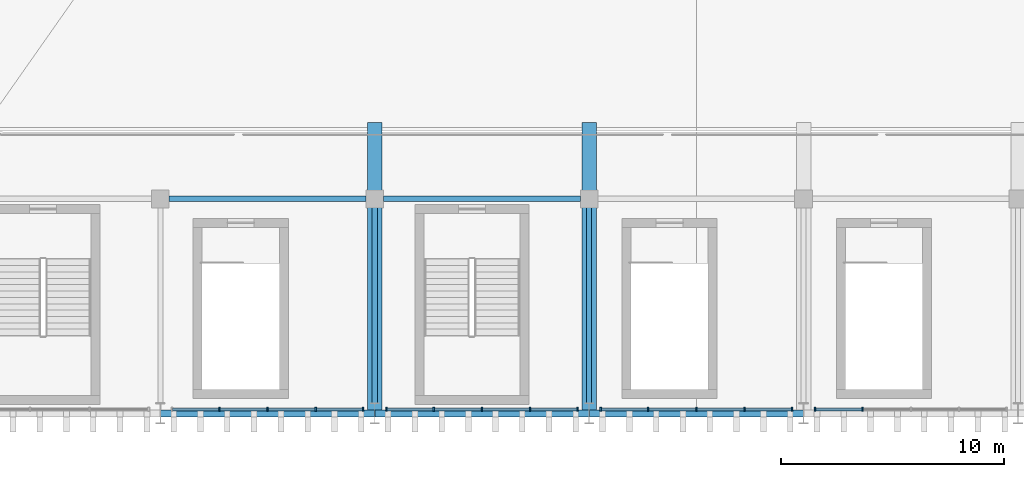
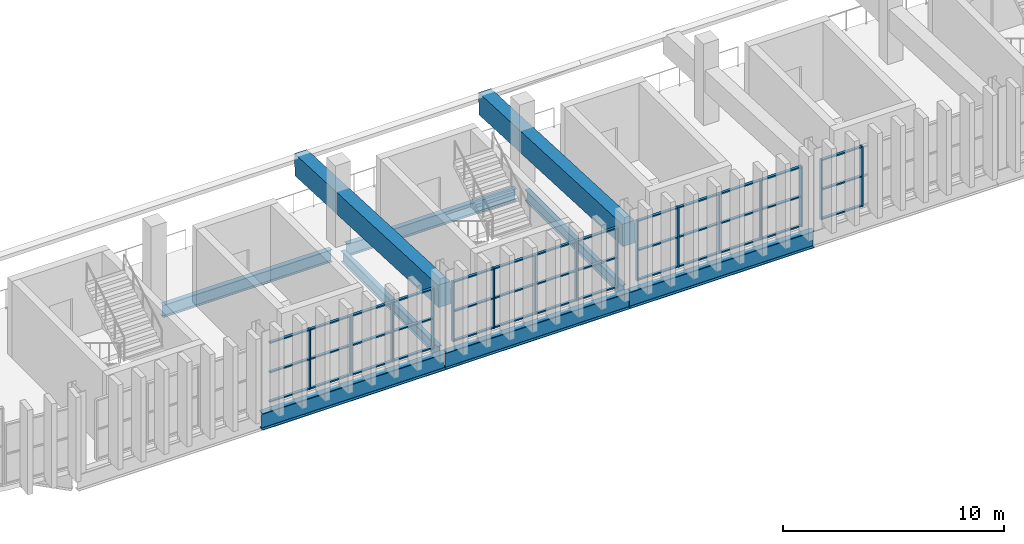
# One storey, part 15 of 69: 55 members, 9 beams, 4 elements without a shape of their own.
"""IFC4 building model written with IfcOpenShell, lengths in metres."""

from ifc_helpers import new_model, si_unit, direction, frame, origin, origin_2d, place, context, subcontext, project, spatial, rectangle, i_section, extrude, material, layer, layer_set, material_profile, profile_set, type_object, element, aggregate, save


model = new_model("IFC4")

# Units and contexts
model_context = context("Model", 3, precision=1e-05, world=origin(), true_north=direction((0.0, 1.0)))
body_context = subcontext(model_context, "Body", "Model", "MODEL_VIEW")
ifc_project = project(units=[si_unit("LENGTHUNIT", "METRE"), si_unit("AREAUNIT", "SQUARE_METRE"), si_unit("VOLUMEUNIT", "CUBIC_METRE"), si_unit("PLANEANGLEUNIT", "RADIAN"), si_unit("MASSUNIT", "GRAM", prefix="KILO")], contexts=[model_context])

# Site, building, storey
site_placement = place(None, origin())
site = spatial("IfcSite", under=ifc_project, at=site_placement, CompositionType="ELEMENT")
building_placement = place(site_placement, origin())
building = spatial("IfcBuilding", under=site, at=building_placement, Name="Caelomonte Colonnade Arena", CompositionType="ELEMENT")
storey_placement = place(building_placement, frame((0.0, 0.0, 18.60009765625)))
storey = spatial("IfcBuildingStorey", under=building, at=storey_placement, Name="L04", CompositionType="ELEMENT", Elevation=18.60009765625)

# Curtain wall, members
ifc_material_1 = material(Name="Bronze anodised aluminium and low-E glazing", Category="aluminium")
ifc_layer = layer(ifc_material_1, 0.179931640625)
ifc_layer_set = layer_set([ifc_layer], Name="Bronze anodised aluminium and low-E glazing")
curtain_wall_type = type_object("IfcCurtainWallType", Name="ENV-CW-CW-L04-96-33", PredefinedType="USERDEFINED", material=ifc_layer_set)
curtain_wall_1_placement = place(storey_placement, origin())
curtain_wall_1 = element("IfcCurtainWall", 1, at=curtain_wall_1_placement, inside=storey, type_object=curtain_wall_type, Name="L04 unitized curtain wall CW-L04-0912-0194", ObjectType="UNITIZED CURTAIN WALL", PredefinedType="USERDEFINED")
ifc_material_2 = material(Name="Bronze anodised aluminium AA6063-T6", Category="aluminium")
ifc_material_profile_1 = material_profile(ifc_material_2, rectangle(XDim=0.070068359375, YDim=0.179931640625, at=origin_2d()), Name="CWM-70X180")
ifc_profile_set_1 = profile_set([ifc_material_profile_1], Name="Bronze anodised aluminium AA6063-T6")
member_type_1 = type_object("IfcMemberType", Name="ENV-CW-MULL1", PredefinedType="MULLION", material=ifc_profile_set_1)
member_1_placement = place(storey_placement, frame((89.041748046875, 19.3798828125, 0.0), z_axis=(0.0, 0.0, 1.0), x_axis=(1.0, 0.0, 0.0)))
member_1 = element("IfcMember", 2, at=member_1_placement, type_object=member_type_1, Name="CW-L04-96-33 mullion 2", PredefinedType="MULLION", context=body_context, shape_type="SweptSolid", body=[
    extrude(rectangle(XDim=0.070068359375, YDim=0.179931640625, at=origin_2d()), origin(), (0.0, 0.0, 1.0), 3.312744140625),
])
member_2_placement = place(storey_placement, frame((91.199951171875, 19.3798828125, 0.0), z_axis=(0.0, 0.0, 1.0), x_axis=(1.0, 0.0, 0.0)))
member_2 = element("IfcMember", 3, at=member_2_placement, type_object=member_type_1, Name="CW-L04-96-33 mullion 3", PredefinedType="MULLION", context=body_context, shape_type="SweptSolid", body=[
    extrude(rectangle(XDim=0.070068359375, YDim=0.179931640625, at=origin_2d()), origin(), (0.0, 0.0, 1.0), 3.312744140625),
])
member_3_placement = place(storey_placement, frame((93.358154296875, 19.3798828125, 0.0), z_axis=(0.0, 0.0, 1.0), x_axis=(1.0, 0.0, 0.0)))
member_3 = element("IfcMember", 4, at=member_3_placement, type_object=member_type_1, Name="CW-L04-96-33 mullion 4", PredefinedType="MULLION", context=body_context, shape_type="SweptSolid", body=[
    extrude(rectangle(XDim=0.070068359375, YDim=0.179931640625, at=origin_2d()), origin(), (0.0, 0.0, 1.0), 3.312744140625),
])
member_4_placement = place(storey_placement, frame((95.4814453125, 19.3798828125, 0.0), z_axis=(0.0, 0.0, 1.0), x_axis=(1.0, 0.0, 0.0)))
member_4 = element("IfcMember", 5, at=member_4_placement, type_object=member_type_1, Name="CW-L04-96-33 mullion 5", PredefinedType="MULLION", context=body_context, shape_type="SweptSolid", body=[
    extrude(rectangle(XDim=0.070068359375, YDim=0.179931640625, at=origin_2d()), origin(), (0.0, 0.0, 1.0), 3.312744140625),
])

curtain_wall_2_placement = place(storey_placement, origin())
curtain_wall_2 = element("IfcCurtainWall", 6, at=curtain_wall_2_placement, inside=storey, type_object=curtain_wall_type, Name="L04 unitized curtain wall CW-L04-1008-0194", ObjectType="UNITIZED CURTAIN WALL", PredefinedType="USERDEFINED")
member_5_placement = place(storey_placement, frame((96.5185546875, 19.3798828125, 0.0), z_axis=(0.0, 0.0, 1.0), x_axis=(1.0, 0.0, 0.0)))
member_5 = element("IfcMember", 7, at=member_5_placement, type_object=member_type_1, Name="CW-L04-96-33 mullion 1", PredefinedType="MULLION", context=body_context, shape_type="SweptSolid", body=[
    extrude(rectangle(XDim=0.070068359375, YDim=0.179931640625, at=origin_2d()), origin(), (0.0, 0.0, 1.0), 3.312744140625),
])
member_6_placement = place(storey_placement, frame((98.641845703125, 19.3798828125, 0.0), z_axis=(0.0, 0.0, 1.0), x_axis=(1.0, 0.0, 0.0)))
member_6 = element("IfcMember", 8, at=member_6_placement, type_object=member_type_1, Name="CW-L04-96-33 mullion 2", PredefinedType="MULLION", context=body_context, shape_type="SweptSolid", body=[
    extrude(rectangle(XDim=0.070068359375, YDim=0.179931640625, at=origin_2d()), origin(), (0.0, 0.0, 1.0), 3.312744140625),
])
member_7_placement = place(storey_placement, frame((100.800048828125, 19.3798828125, 0.0), z_axis=(0.0, 0.0, 1.0), x_axis=(1.0, 0.0, 0.0)))
member_7 = element("IfcMember", 9, at=member_7_placement, type_object=member_type_1, Name="CW-L04-96-33 mullion 3", PredefinedType="MULLION", context=body_context, shape_type="SweptSolid", body=[
    extrude(rectangle(XDim=0.070068359375, YDim=0.179931640625, at=origin_2d()), origin(), (0.0, 0.0, 1.0), 3.312744140625),
])
member_8_placement = place(storey_placement, frame((102.958251953125, 19.3798828125, 0.0), z_axis=(0.0, 0.0, 1.0), x_axis=(1.0, 0.0, 0.0)))
member_8 = element("IfcMember", 10, at=member_8_placement, type_object=member_type_1, Name="CW-L04-96-33 mullion 4", PredefinedType="MULLION", context=body_context, shape_type="SweptSolid", body=[
    extrude(rectangle(XDim=0.070068359375, YDim=0.179931640625, at=origin_2d()), origin(), (0.0, 0.0, 1.0), 3.312744140625),
])
member_9_placement = place(storey_placement, frame((105.08154296875, 19.3798828125, 0.0), z_axis=(0.0, 0.0, 1.0), x_axis=(1.0, 0.0, 0.0)))
member_9 = element("IfcMember", 11, at=member_9_placement, type_object=member_type_1, Name="CW-L04-96-33 mullion 5", PredefinedType="MULLION", context=body_context, shape_type="SweptSolid", body=[
    extrude(rectangle(XDim=0.070068359375, YDim=0.179931640625, at=origin_2d()), origin(), (0.0, 0.0, 1.0), 3.312744140625),
])

curtain_wall_3_placement = place(storey_placement, origin())
curtain_wall_3 = element("IfcCurtainWall", 12, at=curtain_wall_3_placement, inside=storey, type_object=curtain_wall_type, Name="L04 unitized curtain wall CW-L04-1104-0194", ObjectType="UNITIZED CURTAIN WALL", PredefinedType="USERDEFINED")
member_10_placement = place(storey_placement, frame((106.118408203125, 19.3798828125, 0.0), z_axis=(0.0, 0.0, 1.0), x_axis=(1.0, 0.0, 0.0)))
member_10 = element("IfcMember", 13, at=member_10_placement, type_object=member_type_1, Name="CW-L04-96-33 mullion 1", PredefinedType="MULLION", context=body_context, shape_type="SweptSolid", body=[
    extrude(rectangle(XDim=0.070068359375, YDim=0.179931640625, at=origin_2d()), origin(), (0.0, 0.0, 1.0), 3.312744140625),
])
member_11_placement = place(storey_placement, frame((108.24169921875, 19.3798828125, 0.0), z_axis=(0.0, 0.0, 1.0), x_axis=(1.0, 0.0, 0.0)))
member_11 = element("IfcMember", 14, at=member_11_placement, type_object=member_type_1, Name="CW-L04-96-33 mullion 2", PredefinedType="MULLION", context=body_context, shape_type="SweptSolid", body=[
    extrude(rectangle(XDim=0.070068359375, YDim=0.179931640625, at=origin_2d()), origin(), (0.0, 0.0, 1.0), 3.312744140625),
])
member_12_placement = place(storey_placement, frame((110.39990234375, 19.3798828125, 0.0), z_axis=(0.0, 0.0, 1.0), x_axis=(1.0, 0.0, 0.0)))
member_12 = element("IfcMember", 15, at=member_12_placement, type_object=member_type_1, Name="CW-L04-96-33 mullion 3", PredefinedType="MULLION", context=body_context, shape_type="SweptSolid", body=[
    extrude(rectangle(XDim=0.070068359375, YDim=0.179931640625, at=origin_2d()), origin(), (0.0, 0.0, 1.0), 3.312744140625),
])
member_13_placement = place(storey_placement, frame((112.558349609375, 19.3798828125, 0.0), z_axis=(0.0, 0.0, 1.0), x_axis=(1.0, 0.0, 0.0)))
member_13 = element("IfcMember", 16, at=member_13_placement, type_object=member_type_1, Name="CW-L04-96-33 mullion 4", PredefinedType="MULLION", context=body_context, shape_type="SweptSolid", body=[
    extrude(rectangle(XDim=0.070068359375, YDim=0.179931640625, at=origin_2d()), origin(), (0.0, 0.0, 1.0), 3.312744140625),
])
member_14_placement = place(storey_placement, frame((114.681396484375, 19.3798828125, 0.0), z_axis=(0.0, 0.0, 1.0), x_axis=(1.0, 0.0, 0.0)))
member_14 = element("IfcMember", 17, at=member_14_placement, type_object=member_type_1, Name="CW-L04-96-33 mullion 5", PredefinedType="MULLION", context=body_context, shape_type="SweptSolid", body=[
    extrude(rectangle(XDim=0.070068359375, YDim=0.179931640625, at=origin_2d()), origin(), (0.0, 0.0, 1.0), 3.312744140625),
])

curtain_wall_4_placement = place(storey_placement, origin())
curtain_wall_4 = element("IfcCurtainWall", 18, at=curtain_wall_4_placement, inside=storey, type_object=curtain_wall_type, Name="L04 unitized curtain wall CW-L04-1200-0194", ObjectType="UNITIZED CURTAIN WALL", PredefinedType="USERDEFINED")
member_15_placement = place(storey_placement, frame((115.718505859375, 19.3798828125, 0.0), z_axis=(0.0, 0.0, 1.0), x_axis=(1.0, 0.0, 0.0)))
member_15 = element("IfcMember", 19, at=member_15_placement, type_object=member_type_1, Name="CW-L04-96-33 mullion 1", PredefinedType="MULLION", context=body_context, shape_type="SweptSolid", body=[
    extrude(rectangle(XDim=0.070068359375, YDim=0.179931640625, at=origin_2d()), origin(), (0.0, 0.0, 1.0), 3.312744140625),
])
member_16_placement = place(storey_placement, frame((117.841796875, 19.3798828125, 0.0), z_axis=(0.0, 0.0, 1.0), x_axis=(1.0, 0.0, 0.0)))
member_16 = element("IfcMember", 20, at=member_16_placement, type_object=member_type_1, Name="CW-L04-96-33 mullion 2", PredefinedType="MULLION", context=body_context, shape_type="SweptSolid", body=[
    extrude(rectangle(XDim=0.070068359375, YDim=0.179931640625, at=origin_2d()), origin(), (0.0, 0.0, 1.0), 3.312744140625),
])

# Member
ifc_material_profile_2 = material_profile(ifc_material_2, rectangle(XDim=0.070068359375, YDim=0.139892578125, at=origin_2d()), Name="CWT-70X140")
ifc_profile_set_2 = profile_set([ifc_material_profile_2], Name="Bronze anodised aluminium AA6063-T6")
member_type_2 = type_object("IfcMemberType", Name="ENV-CW-TRAN1", PredefinedType="USERDEFINED", material=ifc_profile_set_2)
member_17_placement = place(storey_placement, frame((86.95361328125, 19.3798828125, 0.034912109375), z_axis=(1.0, 0.0, 0.0), x_axis=(0.0, 0.0, 1.0)))
member_17 = element("IfcMember", 21, at=member_17_placement, type_object=member_type_2, Name="CW-L04-96-33 transom 1.1", ObjectType="TRANSOM", PredefinedType="USERDEFINED", context=body_context, shape_type="SweptSolid", body=[
    extrude(rectangle(XDim=0.070068359375, YDim=0.139892578125, at=origin_2d()), origin(), (0.0, 0.0, 1.0), 2.05322265625),
])

member_18_placement = place(storey_placement, frame((86.95361328125, 19.3798828125, 1.65625), z_axis=(1.0, 0.0, 0.0), x_axis=(0.0, 0.0, 1.0)))
member_18 = element("IfcMember", 22, at=member_18_placement, type_object=member_type_2, Name="CW-L04-96-33 transom 1.2", ObjectType="TRANSOM", PredefinedType="USERDEFINED", context=body_context, shape_type="SweptSolid", body=[
    extrude(rectangle(XDim=0.070068359375, YDim=0.139892578125, at=origin_2d()), origin(), (0.0, 0.0, 1.0), 2.05322265625),
])

member_19_placement = place(storey_placement, frame((86.95361328125, 19.3798828125, 3.277587890625), z_axis=(1.0, 0.0, 0.0), x_axis=(0.0, 0.0, 1.0)))
member_19 = element("IfcMember", 23, at=member_19_placement, type_object=member_type_2, Name="CW-L04-96-33 transom 1.3", ObjectType="TRANSOM", PredefinedType="USERDEFINED", context=body_context, shape_type="SweptSolid", body=[
    extrude(rectangle(XDim=0.070068359375, YDim=0.139892578125, at=origin_2d()), origin(), (0.0, 0.0, 1.0), 2.05322265625),
])

member_20_placement = place(storey_placement, frame((89.07666015625, 19.3798828125, 0.034912109375), z_axis=(1.0, 0.0, 0.0), x_axis=(0.0, 0.0, 1.0)))
member_20 = element("IfcMember", 24, at=member_20_placement, type_object=member_type_2, Name="CW-L04-96-33 transom 2.1", ObjectType="TRANSOM", PredefinedType="USERDEFINED", context=body_context, shape_type="SweptSolid", body=[
    extrude(rectangle(XDim=0.070068359375, YDim=0.139892578125, at=origin_2d()), origin(), (0.0, 0.0, 1.0), 2.08837890625),
])

member_21_placement = place(storey_placement, frame((89.07666015625, 19.3798828125, 1.65625), z_axis=(1.0, 0.0, 0.0), x_axis=(0.0, 0.0, 1.0)))
member_21 = element("IfcMember", 25, at=member_21_placement, type_object=member_type_2, Name="CW-L04-96-33 transom 2.2", ObjectType="TRANSOM", PredefinedType="USERDEFINED", context=body_context, shape_type="SweptSolid", body=[
    extrude(rectangle(XDim=0.070068359375, YDim=0.139892578125, at=origin_2d()), origin(), (0.0, 0.0, 1.0), 2.08837890625),
])

member_22_placement = place(storey_placement, frame((89.07666015625, 19.3798828125, 3.277587890625), z_axis=(1.0, 0.0, 0.0), x_axis=(0.0, 0.0, 1.0)))
member_22 = element("IfcMember", 26, at=member_22_placement, type_object=member_type_2, Name="CW-L04-96-33 transom 2.3", ObjectType="TRANSOM", PredefinedType="USERDEFINED", context=body_context, shape_type="SweptSolid", body=[
    extrude(rectangle(XDim=0.070068359375, YDim=0.139892578125, at=origin_2d()), origin(), (0.0, 0.0, 1.0), 2.08837890625),
])

member_23_placement = place(storey_placement, frame((91.235107421875, 19.3798828125, 0.034912109375), z_axis=(1.0, 0.0, 0.0), x_axis=(0.0, 0.0, 1.0)))
member_23 = element("IfcMember", 27, at=member_23_placement, type_object=member_type_2, Name="CW-L04-96-33 transom 3.1", ObjectType="TRANSOM", PredefinedType="USERDEFINED", context=body_context, shape_type="SweptSolid", body=[
    extrude(rectangle(XDim=0.070068359375, YDim=0.139892578125, at=origin_2d()), origin(), (0.0, 0.0, 1.0), 2.088134765625),
])

member_24_placement = place(storey_placement, frame((91.235107421875, 19.3798828125, 1.65625), z_axis=(1.0, 0.0, 0.0), x_axis=(0.0, 0.0, 1.0)))
member_24 = element("IfcMember", 28, at=member_24_placement, type_object=member_type_2, Name="CW-L04-96-33 transom 3.2", ObjectType="TRANSOM", PredefinedType="USERDEFINED", context=body_context, shape_type="SweptSolid", body=[
    extrude(rectangle(XDim=0.070068359375, YDim=0.139892578125, at=origin_2d()), origin(), (0.0, 0.0, 1.0), 2.088134765625),
])

member_25_placement = place(storey_placement, frame((91.235107421875, 19.3798828125, 3.277587890625), z_axis=(1.0, 0.0, 0.0), x_axis=(0.0, 0.0, 1.0)))
member_25 = element("IfcMember", 29, at=member_25_placement, type_object=member_type_2, Name="CW-L04-96-33 transom 3.3", ObjectType="TRANSOM", PredefinedType="USERDEFINED", context=body_context, shape_type="SweptSolid", body=[
    extrude(rectangle(XDim=0.070068359375, YDim=0.139892578125, at=origin_2d()), origin(), (0.0, 0.0, 1.0), 2.088134765625),
])

member_26_placement = place(storey_placement, frame((93.393310546875, 19.3798828125, 0.034912109375), z_axis=(1.0, 0.0, 0.0), x_axis=(0.0, 0.0, 1.0)))
member_26 = element("IfcMember", 30, at=member_26_placement, type_object=member_type_2, Name="CW-L04-96-33 transom 4.1", ObjectType="TRANSOM", PredefinedType="USERDEFINED", context=body_context, shape_type="SweptSolid", body=[
    extrude(rectangle(XDim=0.070068359375, YDim=0.139892578125, at=origin_2d()), origin(), (0.0, 0.0, 1.0), 2.05322265625),
])

member_27_placement = place(storey_placement, frame((93.393310546875, 19.3798828125, 1.65625), z_axis=(1.0, 0.0, 0.0), x_axis=(0.0, 0.0, 1.0)))
member_27 = element("IfcMember", 31, at=member_27_placement, type_object=member_type_2, Name="CW-L04-96-33 transom 4.2", ObjectType="TRANSOM", PredefinedType="USERDEFINED", context=body_context, shape_type="SweptSolid", body=[
    extrude(rectangle(XDim=0.070068359375, YDim=0.139892578125, at=origin_2d()), origin(), (0.0, 0.0, 1.0), 2.05322265625),
])

member_28_placement = place(storey_placement, frame((93.393310546875, 19.3798828125, 3.277587890625), z_axis=(1.0, 0.0, 0.0), x_axis=(0.0, 0.0, 1.0)))
member_28 = element("IfcMember", 32, at=member_28_placement, type_object=member_type_2, Name="CW-L04-96-33 transom 4.3", ObjectType="TRANSOM", PredefinedType="USERDEFINED", context=body_context, shape_type="SweptSolid", body=[
    extrude(rectangle(XDim=0.070068359375, YDim=0.139892578125, at=origin_2d()), origin(), (0.0, 0.0, 1.0), 2.05322265625),
])

aggregate(curtain_wall_1, [member_1, member_2, member_3, member_4, member_17, member_18, member_19, member_20, member_21, member_22, member_23, member_24, member_25, member_26, member_27, member_28])

member_29_placement = place(storey_placement, frame((96.553466796875, 19.3798828125, 0.034912109375), z_axis=(1.0, 0.0, 0.0), x_axis=(0.0, 0.0, 1.0)))
member_29 = element("IfcMember", 33, at=member_29_placement, type_object=member_type_2, Name="CW-L04-96-33 transom 1.1", ObjectType="TRANSOM", PredefinedType="USERDEFINED", context=body_context, shape_type="SweptSolid", body=[
    extrude(rectangle(XDim=0.070068359375, YDim=0.139892578125, at=origin_2d()), origin(), (0.0, 0.0, 1.0), 2.05322265625),
])

member_30_placement = place(storey_placement, frame((96.553466796875, 19.3798828125, 1.65625), z_axis=(1.0, 0.0, 0.0), x_axis=(0.0, 0.0, 1.0)))
member_30 = element("IfcMember", 34, at=member_30_placement, type_object=member_type_2, Name="CW-L04-96-33 transom 1.2", ObjectType="TRANSOM", PredefinedType="USERDEFINED", context=body_context, shape_type="SweptSolid", body=[
    extrude(rectangle(XDim=0.070068359375, YDim=0.139892578125, at=origin_2d()), origin(), (0.0, 0.0, 1.0), 2.05322265625),
])

member_31_placement = place(storey_placement, frame((96.553466796875, 19.3798828125, 3.277587890625), z_axis=(1.0, 0.0, 0.0), x_axis=(0.0, 0.0, 1.0)))
member_31 = element("IfcMember", 35, at=member_31_placement, type_object=member_type_2, Name="CW-L04-96-33 transom 1.3", ObjectType="TRANSOM", PredefinedType="USERDEFINED", context=body_context, shape_type="SweptSolid", body=[
    extrude(rectangle(XDim=0.070068359375, YDim=0.139892578125, at=origin_2d()), origin(), (0.0, 0.0, 1.0), 2.05322265625),
])

member_32_placement = place(storey_placement, frame((98.6767578125, 19.3798828125, 0.034912109375), z_axis=(1.0, 0.0, 0.0), x_axis=(0.0, 0.0, 1.0)))
member_32 = element("IfcMember", 36, at=member_32_placement, type_object=member_type_2, Name="CW-L04-96-33 transom 2.1", ObjectType="TRANSOM", PredefinedType="USERDEFINED", context=body_context, shape_type="SweptSolid", body=[
    extrude(rectangle(XDim=0.070068359375, YDim=0.139892578125, at=origin_2d()), origin(), (0.0, 0.0, 1.0), 2.088134765625),
])

member_33_placement = place(storey_placement, frame((98.6767578125, 19.3798828125, 1.65625), z_axis=(1.0, 0.0, 0.0), x_axis=(0.0, 0.0, 1.0)))
member_33 = element("IfcMember", 37, at=member_33_placement, type_object=member_type_2, Name="CW-L04-96-33 transom 2.2", ObjectType="TRANSOM", PredefinedType="USERDEFINED", context=body_context, shape_type="SweptSolid", body=[
    extrude(rectangle(XDim=0.070068359375, YDim=0.139892578125, at=origin_2d()), origin(), (0.0, 0.0, 1.0), 2.088134765625),
])

member_34_placement = place(storey_placement, frame((98.6767578125, 19.3798828125, 3.277587890625), z_axis=(1.0, 0.0, 0.0), x_axis=(0.0, 0.0, 1.0)))
member_34 = element("IfcMember", 38, at=member_34_placement, type_object=member_type_2, Name="CW-L04-96-33 transom 2.3", ObjectType="TRANSOM", PredefinedType="USERDEFINED", context=body_context, shape_type="SweptSolid", body=[
    extrude(rectangle(XDim=0.070068359375, YDim=0.139892578125, at=origin_2d()), origin(), (0.0, 0.0, 1.0), 2.088134765625),
])

member_35_placement = place(storey_placement, frame((100.8349609375, 19.3798828125, 0.034912109375), z_axis=(1.0, 0.0, 0.0), x_axis=(0.0, 0.0, 1.0)))
member_35 = element("IfcMember", 39, at=member_35_placement, type_object=member_type_2, Name="CW-L04-96-33 transom 3.1", ObjectType="TRANSOM", PredefinedType="USERDEFINED", context=body_context, shape_type="SweptSolid", body=[
    extrude(rectangle(XDim=0.070068359375, YDim=0.139892578125, at=origin_2d()), origin(), (0.0, 0.0, 1.0), 2.08837890625),
])

member_36_placement = place(storey_placement, frame((100.8349609375, 19.3798828125, 1.65625), z_axis=(1.0, 0.0, 0.0), x_axis=(0.0, 0.0, 1.0)))
member_36 = element("IfcMember", 40, at=member_36_placement, type_object=member_type_2, Name="CW-L04-96-33 transom 3.2", ObjectType="TRANSOM", PredefinedType="USERDEFINED", context=body_context, shape_type="SweptSolid", body=[
    extrude(rectangle(XDim=0.070068359375, YDim=0.139892578125, at=origin_2d()), origin(), (0.0, 0.0, 1.0), 2.08837890625),
])

member_37_placement = place(storey_placement, frame((100.8349609375, 19.3798828125, 3.277587890625), z_axis=(1.0, 0.0, 0.0), x_axis=(0.0, 0.0, 1.0)))
member_37 = element("IfcMember", 41, at=member_37_placement, type_object=member_type_2, Name="CW-L04-96-33 transom 3.3", ObjectType="TRANSOM", PredefinedType="USERDEFINED", context=body_context, shape_type="SweptSolid", body=[
    extrude(rectangle(XDim=0.070068359375, YDim=0.139892578125, at=origin_2d()), origin(), (0.0, 0.0, 1.0), 2.08837890625),
])

member_38_placement = place(storey_placement, frame((102.9931640625, 19.3798828125, 0.034912109375), z_axis=(1.0, 0.0, 0.0), x_axis=(0.0, 0.0, 1.0)))
member_38 = element("IfcMember", 42, at=member_38_placement, type_object=member_type_2, Name="CW-L04-96-33 transom 4.1", ObjectType="TRANSOM", PredefinedType="USERDEFINED", context=body_context, shape_type="SweptSolid", body=[
    extrude(rectangle(XDim=0.070068359375, YDim=0.139892578125, at=origin_2d()), origin(), (0.0, 0.0, 1.0), 2.05322265625),
])

member_39_placement = place(storey_placement, frame((102.9931640625, 19.3798828125, 1.65625), z_axis=(1.0, 0.0, 0.0), x_axis=(0.0, 0.0, 1.0)))
member_39 = element("IfcMember", 43, at=member_39_placement, type_object=member_type_2, Name="CW-L04-96-33 transom 4.2", ObjectType="TRANSOM", PredefinedType="USERDEFINED", context=body_context, shape_type="SweptSolid", body=[
    extrude(rectangle(XDim=0.070068359375, YDim=0.139892578125, at=origin_2d()), origin(), (0.0, 0.0, 1.0), 2.05322265625),
])

member_40_placement = place(storey_placement, frame((102.9931640625, 19.3798828125, 3.277587890625), z_axis=(1.0, 0.0, 0.0), x_axis=(0.0, 0.0, 1.0)))
member_40 = element("IfcMember", 44, at=member_40_placement, type_object=member_type_2, Name="CW-L04-96-33 transom 4.3", ObjectType="TRANSOM", PredefinedType="USERDEFINED", context=body_context, shape_type="SweptSolid", body=[
    extrude(rectangle(XDim=0.070068359375, YDim=0.139892578125, at=origin_2d()), origin(), (0.0, 0.0, 1.0), 2.05322265625),
])

aggregate(curtain_wall_2, [member_5, member_6, member_7, member_8, member_9, member_29, member_30, member_31, member_32, member_33, member_34, member_35, member_36, member_37, member_38, member_39, member_40])

member_41_placement = place(storey_placement, frame((106.153564453125, 19.3798828125, 0.034912109375), z_axis=(1.0, 0.0, 0.0), x_axis=(0.0, 0.0, 1.0)))
member_41 = element("IfcMember", 45, at=member_41_placement, type_object=member_type_2, Name="CW-L04-96-33 transom 1.1", ObjectType="TRANSOM", PredefinedType="USERDEFINED", context=body_context, shape_type="SweptSolid", body=[
    extrude(rectangle(XDim=0.070068359375, YDim=0.139892578125, at=origin_2d()), origin(), (0.0, 0.0, 1.0), 2.05322265625),
])

member_42_placement = place(storey_placement, frame((106.153564453125, 19.3798828125, 1.65625), z_axis=(1.0, 0.0, 0.0), x_axis=(0.0, 0.0, 1.0)))
member_42 = element("IfcMember", 46, at=member_42_placement, type_object=member_type_2, Name="CW-L04-96-33 transom 1.2", ObjectType="TRANSOM", PredefinedType="USERDEFINED", context=body_context, shape_type="SweptSolid", body=[
    extrude(rectangle(XDim=0.070068359375, YDim=0.139892578125, at=origin_2d()), origin(), (0.0, 0.0, 1.0), 2.05322265625),
])

member_43_placement = place(storey_placement, frame((106.153564453125, 19.3798828125, 3.277587890625), z_axis=(1.0, 0.0, 0.0), x_axis=(0.0, 0.0, 1.0)))
member_43 = element("IfcMember", 47, at=member_43_placement, type_object=member_type_2, Name="CW-L04-96-33 transom 1.3", ObjectType="TRANSOM", PredefinedType="USERDEFINED", context=body_context, shape_type="SweptSolid", body=[
    extrude(rectangle(XDim=0.070068359375, YDim=0.139892578125, at=origin_2d()), origin(), (0.0, 0.0, 1.0), 2.05322265625),
])

member_44_placement = place(storey_placement, frame((108.27685546875, 19.3798828125, 0.034912109375), z_axis=(1.0, 0.0, 0.0), x_axis=(0.0, 0.0, 1.0)))
member_44 = element("IfcMember", 48, at=member_44_placement, type_object=member_type_2, Name="CW-L04-96-33 transom 2.1", ObjectType="TRANSOM", PredefinedType="USERDEFINED", context=body_context, shape_type="SweptSolid", body=[
    extrude(rectangle(XDim=0.070068359375, YDim=0.139892578125, at=origin_2d()), origin(), (0.0, 0.0, 1.0), 2.088134765625),
])

member_45_placement = place(storey_placement, frame((108.27685546875, 19.3798828125, 1.65625), z_axis=(1.0, 0.0, 0.0), x_axis=(0.0, 0.0, 1.0)))
member_45 = element("IfcMember", 49, at=member_45_placement, type_object=member_type_2, Name="CW-L04-96-33 transom 2.2", ObjectType="TRANSOM", PredefinedType="USERDEFINED", context=body_context, shape_type="SweptSolid", body=[
    extrude(rectangle(XDim=0.070068359375, YDim=0.139892578125, at=origin_2d()), origin(), (0.0, 0.0, 1.0), 2.088134765625),
])

member_46_placement = place(storey_placement, frame((108.27685546875, 19.3798828125, 3.277587890625), z_axis=(1.0, 0.0, 0.0), x_axis=(0.0, 0.0, 1.0)))
member_46 = element("IfcMember", 50, at=member_46_placement, type_object=member_type_2, Name="CW-L04-96-33 transom 2.3", ObjectType="TRANSOM", PredefinedType="USERDEFINED", context=body_context, shape_type="SweptSolid", body=[
    extrude(rectangle(XDim=0.070068359375, YDim=0.139892578125, at=origin_2d()), origin(), (0.0, 0.0, 1.0), 2.088134765625),
])

member_47_placement = place(storey_placement, frame((110.43505859375, 19.3798828125, 0.034912109375), z_axis=(1.0, 0.0, 0.0), x_axis=(0.0, 0.0, 1.0)))
member_47 = element("IfcMember", 51, at=member_47_placement, type_object=member_type_2, Name="CW-L04-96-33 transom 3.1", ObjectType="TRANSOM", PredefinedType="USERDEFINED", context=body_context, shape_type="SweptSolid", body=[
    extrude(rectangle(XDim=0.070068359375, YDim=0.139892578125, at=origin_2d()), origin(), (0.0, 0.0, 1.0), 2.088134765625),
])

member_48_placement = place(storey_placement, frame((110.43505859375, 19.3798828125, 1.65625), z_axis=(1.0, 0.0, 0.0), x_axis=(0.0, 0.0, 1.0)))
member_48 = element("IfcMember", 52, at=member_48_placement, type_object=member_type_2, Name="CW-L04-96-33 transom 3.2", ObjectType="TRANSOM", PredefinedType="USERDEFINED", context=body_context, shape_type="SweptSolid", body=[
    extrude(rectangle(XDim=0.070068359375, YDim=0.139892578125, at=origin_2d()), origin(), (0.0, 0.0, 1.0), 2.088134765625),
])

member_49_placement = place(storey_placement, frame((110.43505859375, 19.3798828125, 3.277587890625), z_axis=(1.0, 0.0, 0.0), x_axis=(0.0, 0.0, 1.0)))
member_49 = element("IfcMember", 53, at=member_49_placement, type_object=member_type_2, Name="CW-L04-96-33 transom 3.3", ObjectType="TRANSOM", PredefinedType="USERDEFINED", context=body_context, shape_type="SweptSolid", body=[
    extrude(rectangle(XDim=0.070068359375, YDim=0.139892578125, at=origin_2d()), origin(), (0.0, 0.0, 1.0), 2.088134765625),
])

member_50_placement = place(storey_placement, frame((112.59326171875, 19.3798828125, 0.034912109375), z_axis=(1.0, 0.0, 0.0), x_axis=(0.0, 0.0, 1.0)))
member_50 = element("IfcMember", 54, at=member_50_placement, type_object=member_type_2, Name="CW-L04-96-33 transom 4.1", ObjectType="TRANSOM", PredefinedType="USERDEFINED", context=body_context, shape_type="SweptSolid", body=[
    extrude(rectangle(XDim=0.070068359375, YDim=0.139892578125, at=origin_2d()), origin(), (0.0, 0.0, 1.0), 2.05322265625),
])

member_51_placement = place(storey_placement, frame((112.59326171875, 19.3798828125, 1.65625), z_axis=(1.0, 0.0, 0.0), x_axis=(0.0, 0.0, 1.0)))
member_51 = element("IfcMember", 55, at=member_51_placement, type_object=member_type_2, Name="CW-L04-96-33 transom 4.2", ObjectType="TRANSOM", PredefinedType="USERDEFINED", context=body_context, shape_type="SweptSolid", body=[
    extrude(rectangle(XDim=0.070068359375, YDim=0.139892578125, at=origin_2d()), origin(), (0.0, 0.0, 1.0), 2.05322265625),
])

member_52_placement = place(storey_placement, frame((112.59326171875, 19.3798828125, 3.277587890625), z_axis=(1.0, 0.0, 0.0), x_axis=(0.0, 0.0, 1.0)))
member_52 = element("IfcMember", 56, at=member_52_placement, type_object=member_type_2, Name="CW-L04-96-33 transom 4.3", ObjectType="TRANSOM", PredefinedType="USERDEFINED", context=body_context, shape_type="SweptSolid", body=[
    extrude(rectangle(XDim=0.070068359375, YDim=0.139892578125, at=origin_2d()), origin(), (0.0, 0.0, 1.0), 2.05322265625),
])

aggregate(curtain_wall_3, [member_10, member_11, member_12, member_13, member_14, member_41, member_42, member_43, member_44, member_45, member_46, member_47, member_48, member_49, member_50, member_51, member_52])

member_53_placement = place(storey_placement, frame((115.75341796875, 19.3798828125, 0.034912109375), z_axis=(1.0, 0.0, 0.0), x_axis=(0.0, 0.0, 1.0)))
member_53 = element("IfcMember", 57, at=member_53_placement, type_object=member_type_2, Name="CW-L04-96-33 transom 1.1", ObjectType="TRANSOM", PredefinedType="USERDEFINED", context=body_context, shape_type="SweptSolid", body=[
    extrude(rectangle(XDim=0.070068359375, YDim=0.139892578125, at=origin_2d()), origin(), (0.0, 0.0, 1.0), 2.05322265625),
])

member_54_placement = place(storey_placement, frame((115.75341796875, 19.3798828125, 1.65625), z_axis=(1.0, 0.0, 0.0), x_axis=(0.0, 0.0, 1.0)))
member_54 = element("IfcMember", 58, at=member_54_placement, type_object=member_type_2, Name="CW-L04-96-33 transom 1.2", ObjectType="TRANSOM", PredefinedType="USERDEFINED", context=body_context, shape_type="SweptSolid", body=[
    extrude(rectangle(XDim=0.070068359375, YDim=0.139892578125, at=origin_2d()), origin(), (0.0, 0.0, 1.0), 2.05322265625),
])

member_55_placement = place(storey_placement, frame((115.75341796875, 19.3798828125, 3.277587890625), z_axis=(1.0, 0.0, 0.0), x_axis=(0.0, 0.0, 1.0)))
member_55 = element("IfcMember", 59, at=member_55_placement, type_object=member_type_2, Name="CW-L04-96-33 transom 1.3", ObjectType="TRANSOM", PredefinedType="USERDEFINED", context=body_context, shape_type="SweptSolid", body=[
    extrude(rectangle(XDim=0.070068359375, YDim=0.139892578125, at=origin_2d()), origin(), (0.0, 0.0, 1.0), 2.05322265625),
])

aggregate(curtain_wall_4, [member_15, member_16, member_53, member_54, member_55])

# Beams
ifc_material_3 = material(Name="Wide-flange steel ASTM A992 Grade 50", Category="steel")
ifc_material_profile_3 = material_profile(ifc_material_3, i_section(OverallWidth=0.307861328125, OverallDepth=0.927001953125, WebThickness=0.019287109375, FlangeThickness=0.031982421875, FilletRadius=0.020263671875, at=origin_2d()), Name="W36X194")
ifc_profile_set_3 = profile_set([ifc_material_profile_3], Name="Wide-flange steel ASTM A992 Grade 50")
beam_type_1 = type_object("IfcBeamType", Name="STR-BM-EAVES2", PredefinedType="SPANDREL", material=ifc_profile_set_3)
for number, where, z_axis, x_axis, name in (
    (60, (86.412109375, 19.199951171875, -0.7236328125), (1.0, 0.0, 0.0), (0.0, 1.0, 0.0), "L04 girder BMX-L04-0864-0192"),
    (61, (96.011962890625, 19.199951171875, -0.7236328125), (1.0, 0.0, 0.0), (0.0, 1.0, 0.0), "L04 girder BMX-L04-0960-0192"),
    (62, (105.612060546875, 19.199951171875, -0.7236328125), (1.0, 0.0, 0.0), (0.0, 1.0, 0.0), "L04 girder BMX-L04-1056-0192"),
):
    element("IfcBeam", number, at=place(storey_placement, frame(where, z_axis=z_axis, x_axis=x_axis)), inside=storey, type_object=beam_type_1, Name=name, PredefinedType="SPANDREL", context=body_context, shape_type="SweptSolid", body=[
        extrude(i_section(OverallWidth=0.307861328125, OverallDepth=0.927001953125, WebThickness=0.019287109375, FlangeThickness=0.031982421875, FilletRadius=0.020263671875, at=origin_2d()), origin(), (0.0, 0.0, 1.0), 9.575927734375),
    ])
ifc_material_profile_4 = material_profile(ifc_material_3, i_section(OverallWidth=0.227783203125, OverallDepth=0.60205078125, WebThickness=0.010498046875, FlangeThickness=0.014892578125, FilletRadius=0.0126953125, at=origin_2d()), Name="W24X68")
ifc_profile_set_4 = profile_set([ifc_material_profile_4], Name="Wide-flange steel ASTM A992 Grade 50")
beam_type_2 = type_object("IfcBeamType", Name="STR-BM-GIRD24B", PredefinedType="SPANDREL", material=ifc_profile_set_4)
for number, where, z_axis, x_axis, name in (
    (63, (96.0, 19.665771484375, -0.56103515625), (0.0, 1.0, 0.0), (-1.0, 0.0, 0.0), "L04 girder BMY-L04-0960-0192"),
    (64, (105.60009765625, 19.665771484375, -0.56103515625), (0.0, 1.0, 0.0), (-1.0, 0.0, 0.0), "L04 girder BMY-L04-1056-0192"),
):
    element("IfcBeam", number, at=place(storey_placement, frame(where, z_axis=z_axis, x_axis=x_axis)), inside=storey, type_object=beam_type_2, Name=name, PredefinedType="SPANDREL", context=body_context, shape_type="SweptSolid", body=[
        extrude(i_section(OverallWidth=0.227783203125, OverallDepth=0.60205078125, WebThickness=0.010498046875, FlangeThickness=0.014892578125, FilletRadius=0.0126953125, at=origin_2d()), origin(), (0.0, 0.0, 1.0), 8.7421875),
    ])
ifc_material_profile_5 = material_profile(ifc_material_3, i_section(OverallWidth=0.253662109375, OverallDepth=0.683349609375, WebThickness=0.012451171875, FlangeThickness=0.018798828125, FilletRadius=0.01513671875, at=origin_2d()), Name="W27X94")
ifc_profile_set_5 = profile_set([ifc_material_profile_5], Name="Wide-flange steel ASTM A992 Grade 50")
beam_type_3 = type_object("IfcBeamType", Name="STR-BM-GIRD27", PredefinedType="BEAM", material=ifc_profile_set_5)
for number, where, z_axis, x_axis, name in (
    (65, (86.7919921875, 28.800048828125, -0.601806640625), (1.0, 0.0, 0.0), (0.0, 1.0, 0.0), "L04 girder BMX-L04-0864-0288"),
    (66, (96.39208984375, 28.800048828125, -0.601806640625), (1.0, 0.0, 0.0), (0.0, 1.0, 0.0), "L04 girder BMX-L04-0960-0288"),
):
    element("IfcBeam", number, at=place(storey_placement, frame(where, z_axis=z_axis, x_axis=x_axis)), inside=storey, type_object=beam_type_3, Name=name, PredefinedType="BEAM", context=body_context, shape_type="SweptSolid", body=[
        extrude(i_section(OverallWidth=0.253662109375, OverallDepth=0.683349609375, WebThickness=0.012451171875, FlangeThickness=0.018798828125, FilletRadius=0.01513671875, at=origin_2d()), origin(), (0.0, 0.0, 1.0), 8.81591796875),
    ])
ifc_material_4 = material(Name="Concrete C50/60", Category="concrete")
ifc_material_profile_6 = material_profile(ifc_material_4, rectangle(XDim=0.64990234375, YDim=1.199951171875, at=origin_2d()), Name="RC650X1200")
ifc_profile_set_6 = profile_set([ifc_material_profile_6], Name="Concrete C50/60")
beam_type_4 = type_object("IfcBeamType", Name="STR-BM-RKU", PredefinedType="USERDEFINED", material=ifc_profile_set_6)
for number, where, z_axis, x_axis, name in (
    (67, (96.0, 19.219970703125, 2.849853515625), (0.0, 0.998933852291, -0.046164474948), (-1.0, 0.0, 0.0), "Upper bowl cantilevered raker girder S-96"),
    (68, (105.60009765625, 19.219970703125, 2.849853515625), (0.0, 0.998933852291, -0.046164474948), (-1.0, 0.0, 0.0), "Upper bowl cantilevered raker girder S-105"),
):
    element("IfcBeam", number, at=place(storey_placement, frame(where, z_axis=z_axis, x_axis=x_axis)), inside=storey, type_object=beam_type_4, Name=name, ObjectType="RAKER", PredefinedType="USERDEFINED", context=body_context, shape_type="SweptSolid", body=[
        extrude(rectangle(XDim=0.64990234375, YDim=1.199951171875, at=origin_2d()), origin(), (0.0, 0.0, 1.0), 12.993896484375),
    ])

save(model, "model.ifc")
